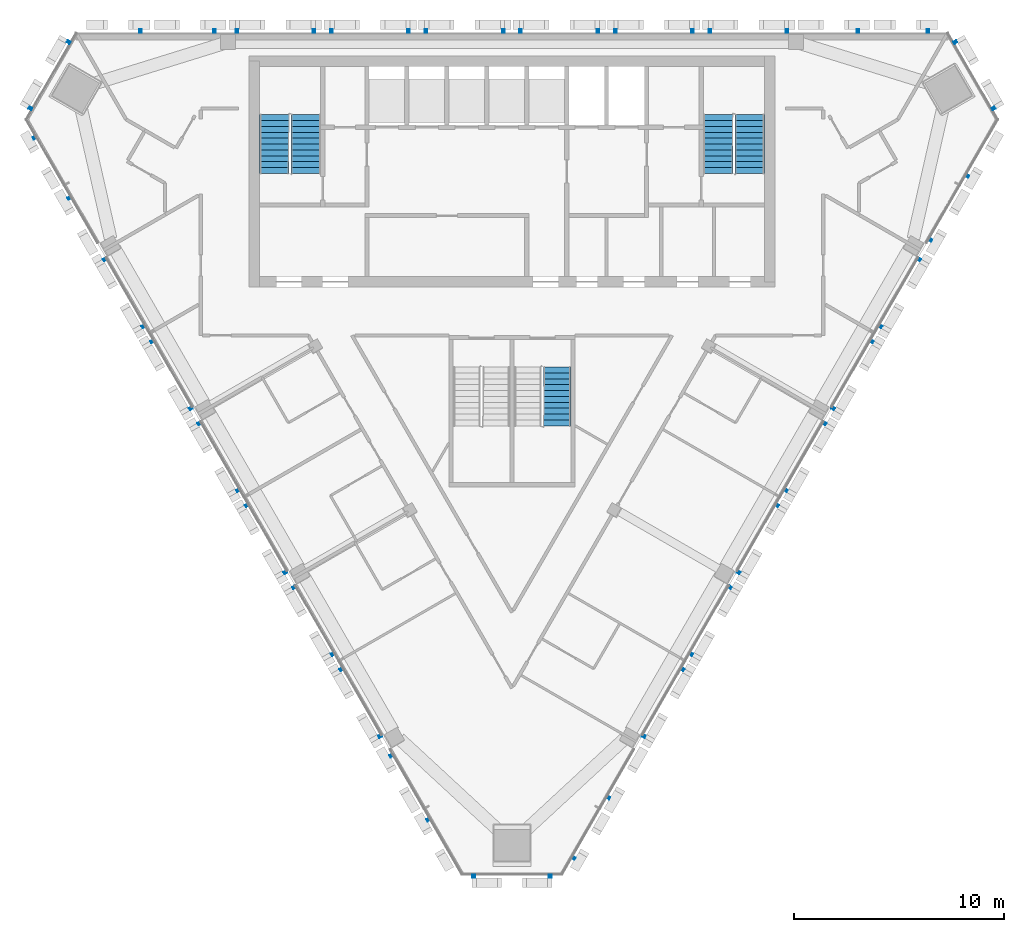
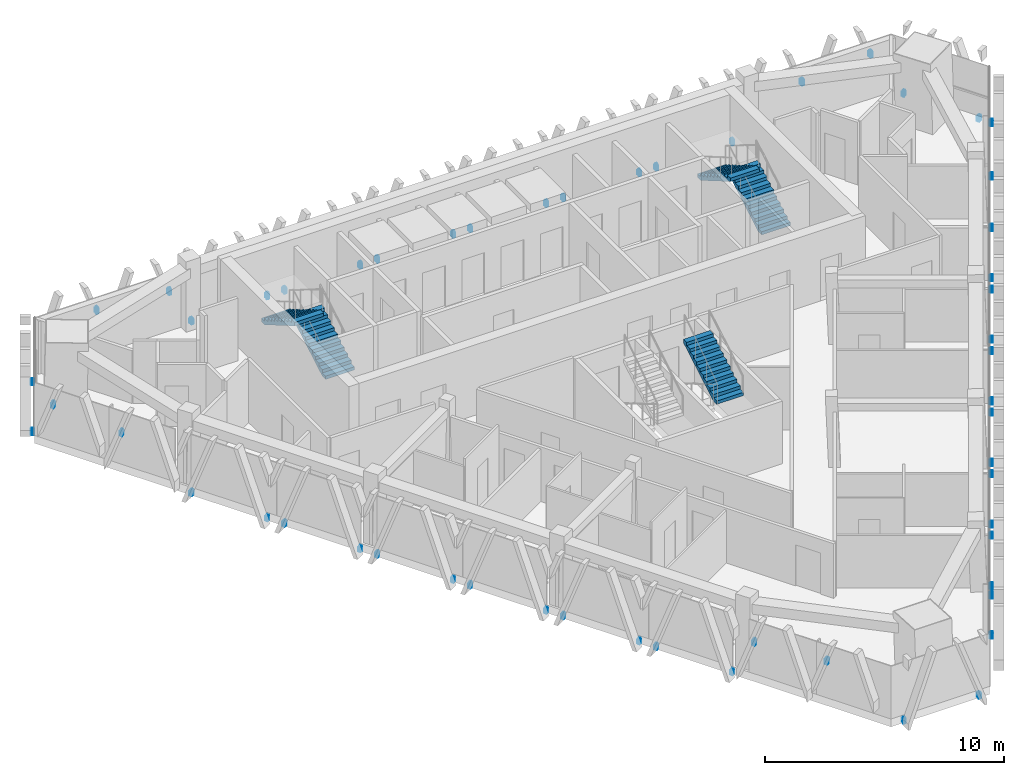
# One storey, part 11 of 14: 6 discrete accessories, 5 stair flights, 3 elements without a shape of their own.
"""IFC4 building model written with IfcOpenShell, lengths in metres."""

from ifc_helpers import new_model, si_unit, direction, frame, origin, place, context, subcontext, project, spatial, polyline, outline, extrude, source, transform, mapped, material, type_object, element, aggregate, save


model = new_model("IFC4")

# Units and contexts
model_context = context("Model", 3, precision=1e-05, world=origin(), true_north=direction((0.0, 1.0)))
body_context = subcontext(model_context, "Body", "Model", "MODEL_VIEW")
ifc_project = project(units=[si_unit("LENGTHUNIT", "METRE"), si_unit("AREAUNIT", "SQUARE_METRE"), si_unit("VOLUMEUNIT", "CUBIC_METRE"), si_unit("PLANEANGLEUNIT", "RADIAN"), si_unit("MASSUNIT", "GRAM", prefix="KILO")], contexts=[model_context])

# Site, building, storey
site_placement = place(None, origin())
site = spatial("IfcSite", under=ifc_project, at=site_placement, CompositionType="ELEMENT")
building_placement = place(site_placement, origin())
building = spatial("IfcBuilding", under=site, at=building_placement, Name="Altiplano Prism Tower", CompositionType="ELEMENT")
storey_placement = place(building_placement, frame((0.0, 0.0, 271.60009765625)))
storey = spatial("IfcBuildingStorey", under=building, at=storey_placement, Name="L70", CompositionType="ELEMENT", Elevation=271.60009765625)

# Stair, stair flights
ifc_material_1 = material(Name="Concrete C40/50", Category="concrete")
stair_type_1 = type_object("IfcStairType", Name="Exit stair 1400", PredefinedType="HALF_TURN_STAIR", material=ifc_material_1)
stair_1_placement = place(storey_placement, origin())
stair_1 = element("IfcStair", 1, at=stair_1_placement, inside=storey, type_object=stair_type_1, Name="L70 Exit Stair 1", PredefinedType="HALF_TURN_STAIR")
stair_flight_type = type_object("IfcStairFlightType", Name="Stair flight concrete 150", PredefinedType="STRAIGHT", material=ifc_material_1)
stair_flight_1_placement = place(storey_placement, frame((75.199951171875, 98.300048828125, 0.0), z_axis=(0.0, 0.0, 1.0), x_axis=(0.0, 1.0, 0.0)))
stair_flight_1 = element("IfcStairFlight", 2, at=stair_flight_1_placement, type_object=stair_flight_type, Name="ST1 flight 1", NumberOfRisers=11, NumberOfTreads=10, PredefinedType="STRAIGHT", RiserHeight=0.163636364, TreadLength=0.28, context=body_context, shape_type="SweptSolid", body=[
    extrude(outline(polyline([(0.0, 0.0), (0.0, 0.16357421875), (0.280029296875, 0.16357421875), (0.280029296875, 0.327392578125), (0.56005859375, 0.327392578125), (0.56005859375, 0.490966796875), (0.840087890625, 0.490966796875), (0.840087890625, 0.654541015625), (1.1201171875, 0.654541015625), (1.1201171875, 0.818115234375), (1.39990234375, 0.818115234375), (1.39990234375, 0.98193359375), (1.679931640625, 0.98193359375), (1.679931640625, 1.1455078125), (1.9599609375, 1.1455078125), (1.9599609375, 1.30908203125), (2.239990234375, 1.30908203125), (2.239990234375, 1.47265625), (2.52001953125, 1.47265625), (2.52001953125, 1.636474609375), (2.800048828125, 1.636474609375), (2.800048828125, 1.800048828125), (2.800048828125, 1.462646484375), (0.297119140625, 0.0), (0.0, 0.0)])), frame((0.0, 0.699951171875, 0.0), z_axis=(0.0, -1.0, 0.0), x_axis=(1.0, 0.0, 0.0)), (0.0, 0.0, 1.0), 1.39990234375),
])
stair_flight_2_placement = place(storey_placement, frame((73.699951171875, 101.10009765625, 1.7998046875), z_axis=(0.0, 0.0, 1.0), x_axis=(0.0, -1.0, 0.0)))
stair_flight_2 = element("IfcStairFlight", 3, at=stair_flight_2_placement, type_object=stair_flight_type, Name="ST1 flight 2", NumberOfRisers=11, NumberOfTreads=10, PredefinedType="STRAIGHT", RiserHeight=0.163636364, TreadLength=0.28, context=body_context, shape_type="SweptSolid", body=[
    extrude(outline(polyline([(0.0, 0.0), (0.0, 0.16357421875), (0.280029296875, 0.16357421875), (0.280029296875, 0.327392578125), (0.56005859375, 0.327392578125), (0.56005859375, 0.490966796875), (0.840087890625, 0.490966796875), (0.840087890625, 0.654541015625), (1.1201171875, 0.654541015625), (1.1201171875, 0.818115234375), (1.39990234375, 0.818115234375), (1.39990234375, 0.98193359375), (1.679931640625, 0.98193359375), (1.679931640625, 1.1455078125), (1.9599609375, 1.1455078125), (1.9599609375, 1.30908203125), (2.239990234375, 1.30908203125), (2.239990234375, 1.47265625), (2.52001953125, 1.47265625), (2.52001953125, 1.636474609375), (2.800048828125, 1.636474609375), (2.800048828125, 1.800048828125), (2.800048828125, 1.462646484375), (0.297119140625, 0.0), (0.0, 0.0)])), frame((0.0, 0.699951171875, 0.0), z_axis=(0.0, -1.0, 0.0), x_axis=(1.0, 0.0, 0.0)), (0.0, 0.0, 1.0), 1.39990234375),
])
aggregate(stair_1, [stair_flight_1, stair_flight_2])

stair_2_placement = place(storey_placement, origin())
stair_2 = element("IfcStair", 4, at=stair_2_placement, inside=storey, type_object=stair_type_1, Name="L70 Exit Stair 2", PredefinedType="HALF_TURN_STAIR")
stair_flight_3_placement = place(storey_placement, frame((96.300048828125, 98.300048828125, 0.0), z_axis=(0.0, 0.0, 1.0), x_axis=(0.0, 1.0, 0.0)))
stair_flight_3 = element("IfcStairFlight", 5, at=stair_flight_3_placement, type_object=stair_flight_type, Name="ST2 flight 1", NumberOfRisers=11, NumberOfTreads=10, PredefinedType="STRAIGHT", RiserHeight=0.163636364, TreadLength=0.28, context=body_context, shape_type="SweptSolid", body=[
    extrude(outline(polyline([(0.0, 0.0), (0.0, 0.16357421875), (0.280029296875, 0.16357421875), (0.280029296875, 0.327392578125), (0.56005859375, 0.327392578125), (0.56005859375, 0.490966796875), (0.840087890625, 0.490966796875), (0.840087890625, 0.654541015625), (1.1201171875, 0.654541015625), (1.1201171875, 0.818115234375), (1.39990234375, 0.818115234375), (1.39990234375, 0.98193359375), (1.679931640625, 0.98193359375), (1.679931640625, 1.1455078125), (1.9599609375, 1.1455078125), (1.9599609375, 1.30908203125), (2.239990234375, 1.30908203125), (2.239990234375, 1.47265625), (2.52001953125, 1.47265625), (2.52001953125, 1.636474609375), (2.800048828125, 1.636474609375), (2.800048828125, 1.800048828125), (2.800048828125, 1.462646484375), (0.297119140625, 0.0), (0.0, 0.0)])), frame((0.0, 0.699951171875, 0.0), z_axis=(0.0, -1.0, 0.0), x_axis=(1.0, 0.0, 0.0)), (0.0, 0.0, 1.0), 1.39990234375),
])
stair_flight_4_placement = place(storey_placement, frame((94.800048828125, 101.10009765625, 1.7998046875), z_axis=(0.0, 0.0, 1.0), x_axis=(0.0, -1.0, 0.0)))
stair_flight_4 = element("IfcStairFlight", 6, at=stair_flight_4_placement, type_object=stair_flight_type, Name="ST2 flight 2", NumberOfRisers=11, NumberOfTreads=10, PredefinedType="STRAIGHT", RiserHeight=0.163636364, TreadLength=0.28, context=body_context, shape_type="SweptSolid", body=[
    extrude(outline(polyline([(0.0, 0.0), (0.0, 0.16357421875), (0.280029296875, 0.16357421875), (0.280029296875, 0.327392578125), (0.56005859375, 0.327392578125), (0.56005859375, 0.490966796875), (0.840087890625, 0.490966796875), (0.840087890625, 0.654541015625), (1.1201171875, 0.654541015625), (1.1201171875, 0.818115234375), (1.39990234375, 0.818115234375), (1.39990234375, 0.98193359375), (1.679931640625, 0.98193359375), (1.679931640625, 1.1455078125), (1.9599609375, 1.1455078125), (1.9599609375, 1.30908203125), (2.239990234375, 1.30908203125), (2.239990234375, 1.47265625), (2.52001953125, 1.47265625), (2.52001953125, 1.636474609375), (2.800048828125, 1.636474609375), (2.800048828125, 1.800048828125), (2.800048828125, 1.462646484375), (0.297119140625, 0.0), (0.0, 0.0)])), frame((0.0, 0.699951171875, 0.0), z_axis=(0.0, -1.0, 0.0), x_axis=(1.0, 0.0, 0.0)), (0.0, 0.0, 1.0), 1.39990234375),
])
aggregate(stair_2, [stair_flight_3, stair_flight_4])

# Stair, stair flight
stair_type_2 = type_object("IfcStairType", Name="Exit stair 1300", PredefinedType="HALF_TURN_STAIR", material=ifc_material_1)
stair_3_placement = place(storey_placement, origin())
stair_3 = element("IfcStair", 7, at=stair_3_placement, inside=storey, type_object=stair_type_2, Name="L70 Exit Stair 3B", PredefinedType="HALF_TURN_STAIR")
stair_flight_5_placement = place(storey_placement, frame((87.14990234375, 86.300048828125, 1.7998046875), z_axis=(0.0, 0.0, 1.0), x_axis=(0.0, 1.0, 0.0)))
stair_flight_5 = element("IfcStairFlight", 8, at=stair_flight_5_placement, type_object=stair_flight_type, Name="ST3B flight 2", NumberOfRisers=11, NumberOfTreads=10, PredefinedType="STRAIGHT", RiserHeight=0.163636364, TreadLength=0.28, context=body_context, shape_type="SweptSolid", body=[
    extrude(outline(polyline([(0.0, 0.0), (0.0, 0.16357421875), (0.280029296875, 0.16357421875), (0.280029296875, 0.327392578125), (0.56005859375, 0.327392578125), (0.56005859375, 0.490966796875), (0.840087890625, 0.490966796875), (0.840087890625, 0.654541015625), (1.1201171875, 0.654541015625), (1.1201171875, 0.818115234375), (1.39990234375, 0.818115234375), (1.39990234375, 0.98193359375), (1.679931640625, 0.98193359375), (1.679931640625, 1.1455078125), (1.9599609375, 1.1455078125), (1.9599609375, 1.30908203125), (2.239990234375, 1.30908203125), (2.239990234375, 1.47265625), (2.52001953125, 1.47265625), (2.52001953125, 1.636474609375), (2.800048828125, 1.636474609375), (2.800048828125, 1.800048828125), (2.800048828125, 1.462646484375), (0.297119140625, 0.0), (0.0, 0.0)])), frame((0.0, 0.64990234375, 0.0), z_axis=(0.0, -1.0, 0.0), x_axis=(1.0, 0.0, 0.0)), (0.0, 0.0, 1.0), 1.300048828125),
])
aggregate(stair_3, [stair_flight_5])

# Discrete accessories
ifc_material_2 = material(Name="Stainless steel", Category="steel")
discrete_accessory_type = type_object("IfcDiscreteAccessoryType", Name="Stone fin fixing prongs", PredefinedType="USERDEFINED", material=ifc_material_2)
shared_shape_1 = source(origin(), body_context, "Body", "SweptSolid", [
    extrude(outline(polyline([(-1.11181640625, 2.20849609375), (-0.991943359375, 2.20849609375), (-0.991943359375, 2.508544921875), (-1.11181640625, 2.508544921875), (-1.11181640625, 2.20849609375)])), frame((0.0, 0.0, 0.0), z_axis=(0.0, -1.0, 0.0), x_axis=(1.0, 0.0, 0.0)), (0.0, 0.0, 1.0), 0.14990234375),
])
shared_shape_2 = source(origin(), body_context, "Body", "SweptSolid", [
    extrude(outline(polyline([(-1.21142578125, 1.934814453125), (-1.091552734375, 1.934814453125), (-1.091552734375, 2.234619140625), (-1.21142578125, 2.234619140625), (-1.21142578125, 1.934814453125)])), frame((0.0, 0.0, 0.0), z_axis=(0.0, -1.0, 0.0), x_axis=(1.0, 0.0, 0.0)), (0.0, 0.0, 1.0), 0.14990234375),
])
shared_shape_3 = source(origin(), body_context, "Body", "SweptSolid", [
    extrude(outline(polyline([(-1.8974609375, 0.06005859375), (-1.777587890625, 0.06005859375), (-1.777587890625, 0.340087890625), (-1.8974609375, 0.340087890625), (-1.8974609375, 0.06005859375)])), frame((0.0, 0.0, 0.0), z_axis=(0.0, -1.0, 0.0), x_axis=(1.0, 0.0, 0.0)), (0.0, 0.0, 1.0), 0.14990234375),
    extrude(outline(polyline([(1.777587890625, 0.06005859375), (1.8974609375, 0.06005859375), (1.8974609375, 0.340087890625), (1.777587890625, 0.340087890625), (1.777587890625, 0.06005859375)])), frame((0.0, 0.0, 0.0), z_axis=(0.0, -1.0, 0.0), x_axis=(1.0, 0.0, 0.0)), (0.0, 0.0, 1.0), 0.14990234375),
])
discrete_accessory_1_placement = place(storey_placement, origin())
element("IfcDiscreteAccessory", 9, at=discrete_accessory_1_placement, inside=storey, type_object=discrete_accessory_type, Name="Fin fixings L70 north face", ObjectType="BRACKET", PredefinedType="USERDEFINED", context=body_context, shape_type="MappedRepresentation", body=[
    mapped(shared_shape_1, transform((103.724853515625, 105.0, -0.400146484375), x_axis=(-1.0, 0.0, 0.0), y_axis=(0.0, -1.0, 0.0), z_axis=(0.0, 0.0, 1.0))),
    mapped(shared_shape_2, transform((100.308349609375, 105.0, -0.400146484375), x_axis=(-1.0, 0.0, 0.0), y_axis=(0.0, -1.0, 0.0), z_axis=(0.0, 0.0, 1.0))),
    mapped(shared_shape_3, transform((96.25, 105.0, -0.400146484375), x_axis=(-1.0, 0.0, 0.0), y_axis=(0.0, -1.0, 0.0), z_axis=(0.0, 0.0, 1.0))),
    mapped(shared_shape_3, transform((91.75, 105.0, -0.400146484375), x_axis=(-1.0, 0.0, 0.0), y_axis=(0.0, -1.0, 0.0), z_axis=(0.0, 0.0, 1.0))),
    mapped(shared_shape_3, transform((87.25, 105.0, -0.400146484375), x_axis=(-1.0, 0.0, 0.0), y_axis=(0.0, -1.0, 0.0), z_axis=(0.0, 0.0, 1.0))),
    mapped(shared_shape_3, transform((82.75, 105.0, -0.400146484375), x_axis=(-1.0, 0.0, 0.0), y_axis=(0.0, -1.0, 0.0), z_axis=(0.0, 0.0, 1.0))),
    mapped(shared_shape_3, transform((78.25, 105.0, -0.400146484375), x_axis=(-1.0, 0.0, 0.0), y_axis=(0.0, -1.0, 0.0), z_axis=(0.0, 0.0, 1.0))),
    mapped(shared_shape_3, transform((73.75, 105.0, -0.400146484375), x_axis=(-1.0, 0.0, 0.0), y_axis=(0.0, -1.0, 0.0), z_axis=(0.0, 0.0, 1.0))),
    mapped(shared_shape_2, transform((69.691650390625, 105.0, -0.400146484375), x_axis=(-1.0, 0.0, 0.0), y_axis=(0.0, -1.0, 0.0), z_axis=(0.0, 0.0, 1.0))),
    mapped(shared_shape_1, transform((66.275146484375, 105.0, -0.400146484375), x_axis=(-1.0, 0.0, 0.0), y_axis=(0.0, -1.0, 0.0), z_axis=(0.0, 0.0, 1.0))),
])
discrete_accessory_2_placement = place(storey_placement, origin())
element("IfcDiscreteAccessory", 10, at=discrete_accessory_2_placement, inside=storey, type_object=discrete_accessory_type, Name="Fin fixings L70 south-west face", ObjectType="BRACKET", PredefinedType="USERDEFINED", context=body_context, shape_type="MappedRepresentation", body=[
    mapped(shared_shape_1, transform((62.885986328125, 99.129638671875, -0.400146484375), x_axis=(0.499999994108, -0.866025407186, 0.0), y_axis=(0.866025407186, 0.499999994108, 0.0), z_axis=(0.0, 0.0, 1.0))),
    mapped(shared_shape_2, transform((64.59423828125, 96.1708984375, -0.400146484375), x_axis=(0.499999994108, -0.866025407186, 0.0), y_axis=(0.866025407186, 0.499999994108, 0.0), z_axis=(0.0, 0.0, 1.0))),
    mapped(shared_shape_3, transform((66.623291015625, 92.65625, -0.400146484375), x_axis=(0.499999994108, -0.866025407186, 0.0), y_axis=(0.866025407186, 0.499999994108, 0.0), z_axis=(0.0, 0.0, 1.0))),
    mapped(shared_shape_3, transform((68.873291015625, 88.759033203125, -0.400146484375), x_axis=(0.499999994108, -0.866025407186, 0.0), y_axis=(0.866025407186, 0.499999994108, 0.0), z_axis=(0.0, 0.0, 1.0))),
    mapped(shared_shape_3, transform((71.123291015625, 84.862060546875, -0.400146484375), x_axis=(0.499999994108, -0.866025407186, 0.0), y_axis=(0.866025407186, 0.499999994108, 0.0), z_axis=(0.0, 0.0, 1.0))),
    mapped(shared_shape_3, transform((73.373291015625, 80.96484375, -0.400146484375), x_axis=(0.499999994108, -0.866025407186, 0.0), y_axis=(0.866025407186, 0.499999994108, 0.0), z_axis=(0.0, 0.0, 1.0))),
    mapped(shared_shape_3, transform((75.623291015625, 77.06787109375, -0.400146484375), x_axis=(0.499999994108, -0.866025407186, 0.0), y_axis=(0.866025407186, 0.499999994108, 0.0), z_axis=(0.0, 0.0, 1.0))),
    mapped(shared_shape_3, transform((77.873291015625, 73.170654296875, -0.400146484375), x_axis=(0.499999994108, -0.866025407186, 0.0), y_axis=(0.866025407186, 0.499999994108, 0.0), z_axis=(0.0, 0.0, 1.0))),
    mapped(shared_shape_2, transform((79.90234375, 69.656005859375, -0.400146484375), x_axis=(0.499999994108, -0.866025407186, 0.0), y_axis=(0.866025407186, 0.499999994108, 0.0), z_axis=(0.0, 0.0, 1.0))),
    mapped(shared_shape_1, transform((81.610595703125, 66.697265625, -0.400146484375), x_axis=(0.499999994108, -0.866025407186, 0.0), y_axis=(0.866025407186, 0.499999994108, 0.0), z_axis=(0.0, 0.0, 1.0))),
])
discrete_accessory_3_placement = place(storey_placement, origin())
element("IfcDiscreteAccessory", 11, at=discrete_accessory_3_placement, inside=storey, type_object=discrete_accessory_type, Name="Fin fixings L70 south-east face", ObjectType="BRACKET", PredefinedType="USERDEFINED", context=body_context, shape_type="MappedRepresentation", body=[
    mapped(shared_shape_1, transform((88.389404296875, 66.697265625, -0.400146484375), x_axis=(0.499999994108, 0.866025407186, 0.0), y_axis=(-0.866025407186, 0.499999994108, 0.0), z_axis=(0.0, 0.0, 1.0))),
    mapped(shared_shape_2, transform((90.09765625, 69.656005859375, -0.400146484375), x_axis=(0.499999994108, 0.866025407186, 0.0), y_axis=(-0.866025407186, 0.499999994108, 0.0), z_axis=(0.0, 0.0, 1.0))),
    mapped(shared_shape_3, transform((92.126708984375, 73.170654296875, -0.400146484375), x_axis=(0.499999994108, 0.866025407186, 0.0), y_axis=(-0.866025407186, 0.499999994108, 0.0), z_axis=(0.0, 0.0, 1.0))),
    mapped(shared_shape_3, transform((94.376708984375, 77.06787109375, -0.400146484375), x_axis=(0.499999994108, 0.866025407186, 0.0), y_axis=(-0.866025407186, 0.499999994108, 0.0), z_axis=(0.0, 0.0, 1.0))),
    mapped(shared_shape_3, transform((96.626708984375, 80.96484375, -0.400146484375), x_axis=(0.499999994108, 0.866025407186, 0.0), y_axis=(-0.866025407186, 0.499999994108, 0.0), z_axis=(0.0, 0.0, 1.0))),
    mapped(shared_shape_3, transform((98.876708984375, 84.862060546875, -0.400146484375), x_axis=(0.499999994108, 0.866025407186, 0.0), y_axis=(-0.866025407186, 0.499999994108, 0.0), z_axis=(0.0, 0.0, 1.0))),
    mapped(shared_shape_3, transform((101.126708984375, 88.759033203125, -0.400146484375), x_axis=(0.499999994108, 0.866025407186, 0.0), y_axis=(-0.866025407186, 0.499999994108, 0.0), z_axis=(0.0, 0.0, 1.0))),
    mapped(shared_shape_3, transform((103.376708984375, 92.65625, -0.400146484375), x_axis=(0.499999994108, 0.866025407186, 0.0), y_axis=(-0.866025407186, 0.499999994108, 0.0), z_axis=(0.0, 0.0, 1.0))),
    mapped(shared_shape_2, transform((105.40576171875, 96.1708984375, -0.400146484375), x_axis=(0.499999994108, 0.866025407186, 0.0), y_axis=(-0.866025407186, 0.499999994108, 0.0), z_axis=(0.0, 0.0, 1.0))),
    mapped(shared_shape_1, transform((107.114013671875, 99.129638671875, -0.400146484375), x_axis=(0.499999994108, 0.866025407186, 0.0), y_axis=(-0.866025407186, 0.499999994108, 0.0), z_axis=(0.0, 0.0, 1.0))),
])
shared_shape_4 = source(origin(), body_context, "Body", "SweptSolid", [
    extrude(outline(polyline([(-1.878662109375, 0.06005859375), (-1.7587890625, 0.06005859375), (-1.7587890625, 0.340087890625), (-1.878662109375, 0.340087890625), (-1.878662109375, 0.06005859375)])), frame((0.0, 0.0, 0.0), z_axis=(0.0, -1.0, 0.0), x_axis=(1.0, 0.0, 0.0)), (0.0, 0.0, 1.0), 0.14990234375),
    extrude(outline(polyline([(1.7587890625, 0.06005859375), (1.878662109375, 0.06005859375), (1.878662109375, 0.340087890625), (1.7587890625, 0.340087890625), (1.7587890625, 0.06005859375)])), frame((0.0, 0.0, 0.0), z_axis=(0.0, -1.0, 0.0), x_axis=(1.0, 0.0, 0.0)), (0.0, 0.0, 1.0), 0.14990234375),
])
discrete_accessory_4_placement = place(storey_placement, origin())
element("IfcDiscreteAccessory", 12, at=discrete_accessory_4_placement, inside=storey, type_object=discrete_accessory_type, Name="Fin fixings L70 north-west chamfer", ObjectType="BRACKET", PredefinedType="USERDEFINED", context=body_context, shape_type="MappedRepresentation", body=[
    mapped(shared_shape_4, transform((63.074462890625, 102.934326171875, -0.400146484375), x_axis=(-0.500000034067, -0.866025384116, 0.0), y_axis=(0.866025384116, -0.500000034067, 0.0), z_axis=(0.0, 0.0, 1.0))),
])
discrete_accessory_5_placement = place(storey_placement, origin())
element("IfcDiscreteAccessory", 13, at=discrete_accessory_5_placement, inside=storey, type_object=discrete_accessory_type, Name="Fin fixings L70 south chamfer", ObjectType="BRACKET", PredefinedType="USERDEFINED", context=body_context, shape_type="MappedRepresentation", body=[
    mapped(shared_shape_4, transform((85.0, 64.9580078125, -0.400146484375), x_axis=(1.0, 0.0, 0.0), y_axis=(0.0, 1.0, 0.0), z_axis=(0.0, 0.0, 1.0))),
])
discrete_accessory_6_placement = place(storey_placement, origin())
element("IfcDiscreteAccessory", 14, at=discrete_accessory_6_placement, inside=storey, type_object=discrete_accessory_type, Name="Fin fixings L70 north-east chamfer", ObjectType="BRACKET", PredefinedType="USERDEFINED", context=body_context, shape_type="MappedRepresentation", body=[
    mapped(shared_shape_4, transform((106.925537109375, 102.934326171875, -0.400146484375), x_axis=(-0.500000034067, 0.866025384116, 0.0), y_axis=(-0.866025384116, -0.500000034067, 0.0), z_axis=(0.0, 0.0, 1.0))),
])

save(model, "model.ifc")
